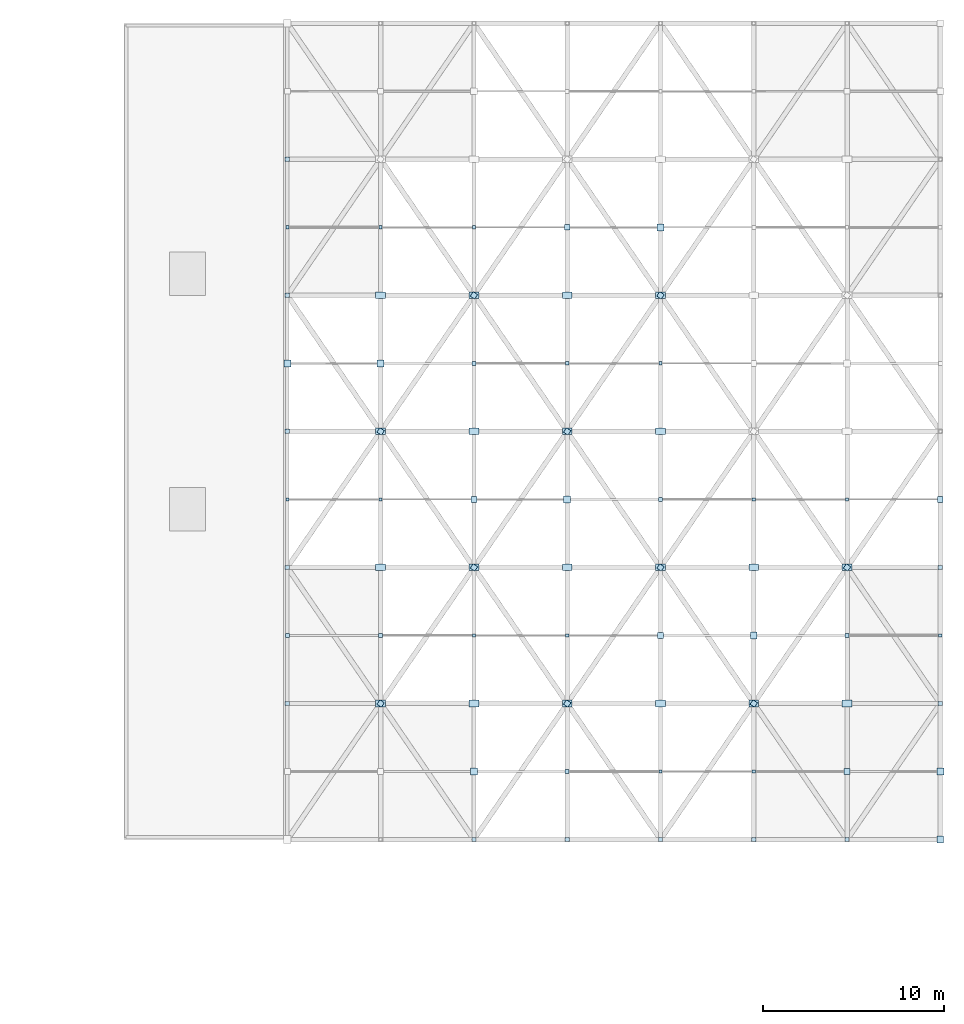
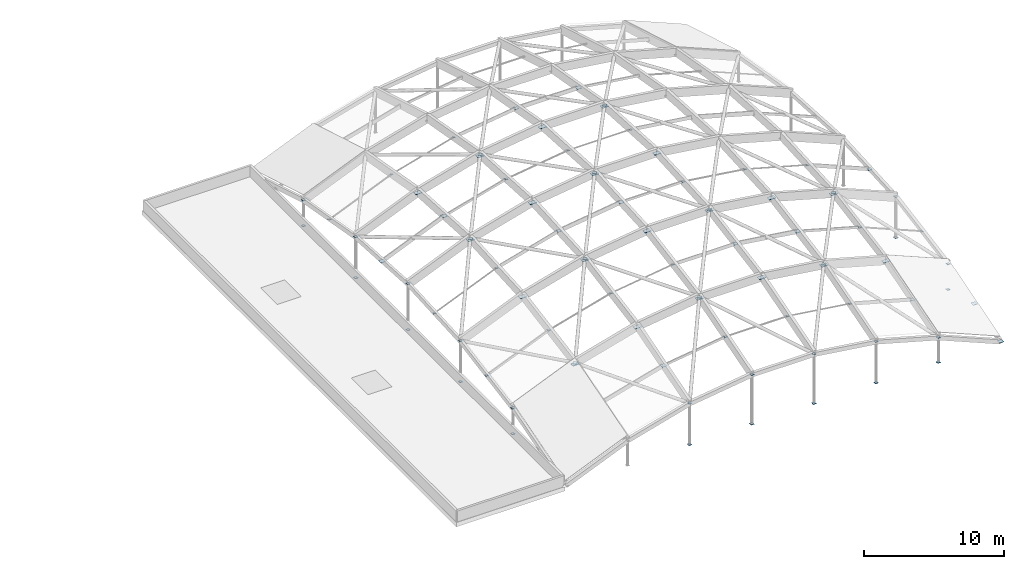
# One storey, part 69 of 81: 87 plates.
"""IFC4 building model written with IfcOpenShell, lengths in metres."""

from ifc_helpers import new_model, si_unit, direction, frame, origin, origin_2d, place, context, subcontext, project, spatial, rectangle, extrude, material, layer, layer_set, type_object, element, save


model = new_model("IFC4")

# Units and contexts
model_context = context("Model", 3, precision=1e-05, world=origin(), true_north=direction((0.0, 1.0)))
body_context = subcontext(model_context, "Body", "Model", "MODEL_VIEW")
ifc_project = project(units=[si_unit("LENGTHUNIT", "METRE"), si_unit("AREAUNIT", "SQUARE_METRE"), si_unit("VOLUMEUNIT", "CUBIC_METRE"), si_unit("PLANEANGLEUNIT", "RADIAN"), si_unit("MASSUNIT", "GRAM", prefix="KILO")], contexts=[model_context])

# Site, building, storey
site_placement = place(None, origin())
site = spatial("IfcSite", under=ifc_project, at=site_placement, CompositionType="ELEMENT")
building_placement = place(site_placement, origin())
building = spatial("IfcBuilding", under=site, at=building_placement, Name="Marnridge Secondary College", CompositionType="ELEMENT")
storey_placement = place(building_placement, frame((0.0, 0.0, 8.5)))
storey = spatial("IfcBuildingStorey", under=building, at=storey_placement, Name="L02", CompositionType="ELEMENT", Elevation=8.5)

# Plates
ifc_material_1 = material(Name="Structural steel plate Grade 350 (AS/NZS 3678, fy = 350 MPa <=12mm, 340 MPa 12-20mm, 330 MPa 20-50mm)", Category="steel")
ifc_layer_1 = layer(ifc_material_1, 0.011962890625)
ifc_layer_set_1 = layer_set([ifc_layer_1], Name="PT-CAP-EXT")
plate_type_1 = type_object("IfcPlateType", Name="PT-CAP-EXT", PredefinedType="SHEET", material=ifc_layer_set_1)
for number, where, z_axis, x_axis, name in (
    (1, (135.0, 82.5, 0.0859375), (0.0, 0.0, 1.0), (1.0, 0.0, 0.0), "Tube end cap GSP-0001-EC1"),
    (2, (135.0, 82.5, 2.333984375), (0.0, 0.0, 1.0), (1.0, 0.0, 0.0), "Tube end cap GSP-0001-EC2"),
    (3, (135.0, 90.0, 0.0859375), (0.0, 0.0, 1.0), (1.0, 0.0, 0.0), "Tube end cap GSP-0002-EC1"),
    (4, (135.0, 90.0, 3.66748046875), (0.0, 0.0, 1.0), (1.0, 0.0, 0.0), "Tube end cap GSP-0002-EC2"),
    (5, (135.0, 97.5, 0.0859375), (0.0, 0.0, 1.0), (1.0, 0.0, 0.0), "Tube end cap GSP-0003-EC1"),
    (6, (135.0, 97.5, 4.11181640625), (0.0, 0.0, 1.0), (1.0, 0.0, 0.0), "Tube end cap GSP-0003-EC2"),
    (7, (135.0, 105.0, 0.0859375), (0.0, 0.0, 1.0), (1.0, 0.0, 0.0), "Tube end cap GSP-0004-EC1"),
    (8, (135.0, 105.0, 3.66748046875), (0.0, 0.0, 1.0), (1.0, 0.0, 0.0), "Tube end cap GSP-0004-EC2"),
    (9, (135.0, 112.5, 0.0859375), (0.0, 0.0, 1.0), (1.0, 0.0, 0.0), "Tube end cap GSP-0005-EC1"),
    (10, (135.0, 112.5, 2.333984375), (0.0, 0.0, 1.0), (1.0, 0.0, 0.0), "Tube end cap GSP-0005-EC2"),
    (11, (145.28564453125, 75.0, 0.0859375), (0.0, 0.0, 1.0), (1.0, 0.0, 0.0), "Tube end cap GSP-0008-EC1"),
    (12, (145.28564453125, 75.0, 3.70361328125), (0.0, 0.0, 1.0), (1.0, 0.0, 0.0), "Tube end cap GSP-0008-EC2"),
    (13, (150.4287109375, 75.0, 0.0859375), (0.0, 0.0, 1.0), (1.0, 0.0, 0.0), "Tube end cap GSP-0010-EC1"),
    (14, (150.4287109375, 75.0, 4.42236328125), (0.0, 0.0, 1.0), (1.0, 0.0, 0.0), "Tube end cap GSP-0010-EC2"),
    (15, (155.5712890625, 75.0, 0.0859375), (0.0, 0.0, 1.0), (1.0, 0.0, 0.0), "Tube end cap GSP-0012-EC1"),
    (16, (155.5712890625, 75.0, 4.42236328125), (0.0, 0.0, 1.0), (1.0, 0.0, 0.0), "Tube end cap GSP-0012-EC2"),
    (17, (160.71435546875, 75.0, 0.0859375), (0.0, 0.0, 1.0), (1.0, 0.0, 0.0), "Tube end cap GSP-0014-EC1"),
    (18, (160.71435546875, 75.0, 3.70361328125), (0.0, 0.0, 1.0), (1.0, 0.0, 0.0), "Tube end cap GSP-0014-EC2"),
    (19, (165.857177734375, 75.0, 0.0859375), (0.0, 0.0, 1.0), (1.0, 0.0, 0.0), "Tube end cap GSP-0016-EC1"),
    (20, (165.857177734375, 75.0, 2.26708984375), (0.0, 0.0, 1.0), (1.0, 0.0, 0.0), "Tube end cap GSP-0016-EC2"),
    (21, (171.0, 82.5, 0.0859375), (0.0, 0.0, 1.0), (1.0, 0.0, 0.0), "Tube end cap GSP-0018-EC1"),
    (22, (171.0, 82.5, 2.333984375), (0.0, 0.0, 1.0), (1.0, 0.0, 0.0), "Tube end cap GSP-0018-EC2"),
    (23, (171.0, 90.0, 0.0859375), (0.0, 0.0, 1.0), (1.0, 0.0, 0.0), "Tube end cap GSP-0019-EC1"),
    (24, (171.0, 90.0, 3.66748046875), (0.0, 0.0, 1.0), (1.0, 0.0, 0.0), "Tube end cap GSP-0019-EC2"),
):
    element("IfcPlate", number, at=place(storey_placement, frame(where, z_axis=z_axis, x_axis=x_axis)), inside=storey, type_object=plate_type_1, Name=name, PredefinedType="SHEET", context=body_context, shape_type="SweptSolid", body=[
        extrude(rectangle(XDim=0.239013671875, YDim=0.239013671875, at=origin_2d()), origin(), (0.0, 0.0, 1.0), 0.011962890625),
    ])
plate_1_placement = place(storey_placement, frame((171.0, 75.001953125, 0.0947265625), z_axis=(0.0, 0.0, 1.0), x_axis=(0.0, 1.0, 0.0)))
element("IfcPlate", 25, at=plate_1_placement, inside=storey, type_object=plate_type_1, Name="Tube end cap GR-0043-EC1", PredefinedType="SHEET", context=body_context, shape_type="SweptSolid", body=[
    extrude(rectangle(XDim=0.3701171875, YDim=0.3701171875, at=origin_2d()), origin(), (0.0, 0.0, 1.0), 0.011962890625),
])
plate_2_placement = place(storey_placement, frame((140.141845703125, 82.49853515625, 4.47021484375), z_axis=(0.0, 0.0, 1.0), x_axis=(0.565542903589, 0.82471887586, 0.0)))
element("IfcPlate", 26, at=plate_2_placement, inside=storey, type_object=plate_type_1, Name="Tube end cap GR-0098-EC2", PredefinedType="SHEET", context=body_context, shape_type="SweptSolid", body=[
    extrude(rectangle(XDim=0.29296875, YDim=0.29296875, at=origin_2d()), origin(), (0.0, 0.0, 1.0), 0.011962890625),
])
for number, where, z_axis, x_axis, name in (
    (27, (135.001708984375, 86.25, 2.90380859375), (0.0, 0.0, 1.0), (1.0, 0.0, 0.0), "Tube end cap PR-0024-EC1"),
    (28, (140.14111328125, 86.25, 5.05712890625), (0.0, 0.0, 1.0), (1.0, 0.0, 0.0), "Tube end cap PR-0024-EC2"),
):
    element("IfcPlate", number, at=place(storey_placement, frame(where, z_axis=z_axis, x_axis=x_axis)), inside=storey, type_object=plate_type_1, Name=name, PredefinedType="SHEET", context=body_context, shape_type="SweptSolid", body=[
        extrude(rectangle(XDim=0.219970703125, YDim=0.219970703125, at=origin_2d()), origin(), (0.0, 0.0, 1.0), 0.011962890625),
    ])
plate_3_placement = place(storey_placement, frame((140.141845703125, 97.498291015625, 6.24853515625), z_axis=(0.0, 0.0, 1.0), x_axis=(0.565542903589, 0.82471887586, 0.0)))
element("IfcPlate", 29, at=plate_3_placement, inside=storey, type_object=plate_type_1, Name="Tube end cap GR-0100-EC2", PredefinedType="SHEET", context=body_context, shape_type="SweptSolid", body=[
    extrude(rectangle(XDim=0.29296875, YDim=0.29296875, at=origin_2d()), origin(), (0.0, 0.0, 1.0), 0.011962890625),
])
for number, where, z_axis, x_axis, name in (
    (30, (135.001708984375, 93.75, 3.79248046875), (0.0, 0.0, 1.0), (1.0, 0.0, 0.0), "Tube end cap PR-0025-EC1"),
    (31, (140.14111328125, 93.75, 5.9462890625), (0.0, 0.0, 1.0), (1.0, 0.0, 0.0), "Tube end cap PR-0025-EC2"),
):
    element("IfcPlate", number, at=place(storey_placement, frame(where, z_axis=z_axis, x_axis=x_axis)), inside=storey, type_object=plate_type_1, Name=name, PredefinedType="SHEET", context=body_context, shape_type="SweptSolid", body=[
        extrude(rectangle(XDim=0.179931640625, YDim=0.179931640625, at=origin_2d()), origin(), (0.0, 0.0, 1.0), 0.011962890625),
    ])
for number, where, z_axis, x_axis, name in (
    (32, (135.001708984375, 101.25, 3.79248046875), (0.0, 0.0, 1.0), (1.0, 0.0, 0.0), "Tube end cap PR-0026-EC1"),
    (33, (140.14111328125, 101.25, 5.9462890625), (0.0, 0.0, 1.0), (1.0, 0.0, 0.0), "Tube end cap PR-0026-EC2"),
):
    element("IfcPlate", number, at=place(storey_placement, frame(where, z_axis=z_axis, x_axis=x_axis)), inside=storey, type_object=plate_type_1, Name=name, PredefinedType="SHEET", context=body_context, shape_type="SweptSolid", body=[
        extrude(rectangle(XDim=0.3798828125, YDim=0.3798828125, at=origin_2d()), origin(), (0.0, 0.0, 1.0), 0.011962890625),
    ])
for number, where, z_axis, x_axis, name in (
    (34, (135.001708984375, 108.75, 2.90380859375), (0.0, 0.0, 1.0), (1.0, 0.0, 0.0), "Tube end cap PR-0027-EC1"),
    (35, (140.14111328125, 108.75, 5.05712890625), (0.0, 0.0, 1.0), (1.0, 0.0, 0.0), "Tube end cap PR-0027-EC2"),
):
    element("IfcPlate", number, at=place(storey_placement, frame(where, z_axis=z_axis, x_axis=x_axis)), inside=storey, type_object=plate_type_1, Name=name, PredefinedType="SHEET", context=body_context, shape_type="SweptSolid", body=[
        extrude(rectangle(XDim=0.179931640625, YDim=0.179931640625, at=origin_2d()), origin(), (0.0, 0.0, 1.0), 0.011962890625),
    ])
plate_4_placement = place(storey_placement, frame((145.28369140625, 78.75, 4.71630859375), z_axis=(0.0, 0.0, 1.0), x_axis=(1.0, 0.0, 0.0)))
element("IfcPlate", 36, at=plate_4_placement, inside=storey, type_object=plate_type_1, Name="Tube end cap PR-0029-EC2", PredefinedType="SHEET", context=body_context, shape_type="SweptSolid", body=[
    extrude(rectangle(XDim=0.3798828125, YDim=0.3798828125, at=origin_2d()), origin(), (0.0, 0.0, 1.0), 0.011962890625),
])
plate_5_placement = place(storey_placement, frame((145.28466796875, 89.998291015625, 7.24072265625), z_axis=(0.0, 0.0, 1.0), x_axis=(0.565542903589, 0.82471887586, 0.0)))
element("IfcPlate", 37, at=plate_5_placement, inside=storey, type_object=plate_type_1, Name="Tube end cap GR-0105-EC2", PredefinedType="SHEET", context=body_context, shape_type="SweptSolid", body=[
    extrude(rectangle(XDim=0.29296875, YDim=0.29296875, at=origin_2d()), origin(), (0.0, 0.0, 1.0), 0.011962890625),
])
plate_6_placement = place(storey_placement, frame((145.28369140625, 86.25, 6.494140625), z_axis=(0.0, 0.0, 1.0), x_axis=(1.0, 0.0, 0.0)))
element("IfcPlate", 38, at=plate_6_placement, inside=storey, type_object=plate_type_1, Name="Tube end cap PR-0030-EC2", PredefinedType="SHEET", context=body_context, shape_type="SweptSolid", body=[
    extrude(rectangle(XDim=0.179931640625, YDim=0.179931640625, at=origin_2d()), origin(), (0.0, 0.0, 1.0), 0.011962890625),
])
plate_7_placement = place(storey_placement, frame((145.28369140625, 93.75, 7.38330078125), z_axis=(0.0, 0.0, 1.0), x_axis=(1.0, 0.0, 0.0)))
element("IfcPlate", 39, at=plate_7_placement, inside=storey, type_object=plate_type_1, Name="Tube end cap PR-0031-EC2", PredefinedType="SHEET", context=body_context, shape_type="SweptSolid", body=[
    extrude(rectangle(XDim=0.320068359375, YDim=0.320068359375, at=origin_2d()), origin(), (0.0, 0.0, 1.0), 0.011962890625),
])
plate_8_placement = place(storey_placement, frame((145.28466796875, 104.998291015625, 7.2412109375), z_axis=(0.0, 0.0, 1.0), x_axis=(0.565542903589, 0.82471887586, 0.0)))
element("IfcPlate", 40, at=plate_8_placement, inside=storey, type_object=plate_type_1, Name="Tube end cap GR-0107-EC2", PredefinedType="SHEET", context=body_context, shape_type="SweptSolid", body=[
    extrude(rectangle(XDim=0.29296875, YDim=0.29296875, at=origin_2d()), origin(), (0.0, 0.0, 1.0), 0.011962890625),
])
plate_9_placement = place(storey_placement, frame((145.28369140625, 101.25, 7.38330078125), z_axis=(0.0, 0.0, 1.0), x_axis=(1.0, 0.0, 0.0)))
element("IfcPlate", 41, at=plate_9_placement, inside=storey, type_object=plate_type_1, Name="Tube end cap PR-0032-EC2", PredefinedType="SHEET", context=body_context, shape_type="SweptSolid", body=[
    extrude(rectangle(XDim=0.219970703125, YDim=0.219970703125, at=origin_2d()), origin(), (0.0, 0.0, 1.0), 0.011962890625),
])
plate_10_placement = place(storey_placement, frame((145.28369140625, 108.75, 6.494140625), z_axis=(0.0, 0.0, 1.0), x_axis=(1.0, 0.0, 0.0)))
element("IfcPlate", 42, at=plate_10_placement, inside=storey, type_object=plate_type_1, Name="Tube end cap PR-0033-EC2", PredefinedType="SHEET", context=body_context, shape_type="SweptSolid", body=[
    extrude(rectangle(XDim=0.179931640625, YDim=0.179931640625, at=origin_2d()), origin(), (0.0, 0.0, 1.0), 0.011962890625),
])
plate_11_placement = place(storey_placement, frame((150.427490234375, 82.498291015625, 6.6259765625), z_axis=(0.0, 0.0, 1.0), x_axis=(0.565542903589, 0.82471887586, 0.0)))
element("IfcPlate", 43, at=plate_11_placement, inside=storey, type_object=plate_type_1, Name="Tube end cap GR-0110-EC2", PredefinedType="SHEET", context=body_context, shape_type="SweptSolid", body=[
    extrude(rectangle(XDim=0.29296875, YDim=0.29296875, at=origin_2d()), origin(), (0.0, 0.0, 1.0), 0.011962890625),
])
plate_12_placement = place(storey_placement, frame((150.426513671875, 78.75, 5.43505859375), z_axis=(0.0, 0.0, 1.0), x_axis=(1.0, 0.0, 0.0)))
element("IfcPlate", 44, at=plate_12_placement, inside=storey, type_object=plate_type_1, Name="Tube end cap PR-0035-EC2", PredefinedType="SHEET", context=body_context, shape_type="SweptSolid", body=[
    extrude(rectangle(XDim=0.219970703125, YDim=0.219970703125, at=origin_2d()), origin(), (0.0, 0.0, 1.0), 0.011962890625),
])
plate_13_placement = place(storey_placement, frame((150.426513671875, 86.25, 7.212890625), z_axis=(0.0, 0.0, 1.0), x_axis=(1.0, 0.0, 0.0)))
element("IfcPlate", 45, at=plate_13_placement, inside=storey, type_object=plate_type_1, Name="Tube end cap PR-0036-EC2", PredefinedType="SHEET", context=body_context, shape_type="SweptSolid", body=[
    extrude(rectangle(XDim=0.179931640625, YDim=0.179931640625, at=origin_2d()), origin(), (0.0, 0.0, 1.0), 0.011962890625),
])
plate_14_placement = place(storey_placement, frame((150.427490234375, 97.498291015625, 8.40380859375), z_axis=(0.0, 0.0, 1.0), x_axis=(0.565542903589, 0.82471887586, 0.0)))
element("IfcPlate", 46, at=plate_14_placement, inside=storey, type_object=plate_type_1, Name="Tube end cap GR-0112-EC2", PredefinedType="SHEET", context=body_context, shape_type="SweptSolid", body=[
    extrude(rectangle(XDim=0.29296875, YDim=0.29296875, at=origin_2d()), origin(), (0.0, 0.0, 1.0), 0.011962890625),
])
plate_15_placement = place(storey_placement, frame((150.426513671875, 93.75, 8.1015625), z_axis=(0.0, 0.0, 1.0), x_axis=(1.0, 0.0, 0.0)))
element("IfcPlate", 47, at=plate_15_placement, inside=storey, type_object=plate_type_1, Name="Tube end cap PR-0037-EC2", PredefinedType="SHEET", context=body_context, shape_type="SweptSolid", body=[
    extrude(rectangle(XDim=0.3798828125, YDim=0.3798828125, at=origin_2d()), origin(), (0.0, 0.0, 1.0), 0.011962890625),
])
plate_16_placement = place(storey_placement, frame((150.426513671875, 101.25, 8.1015625), z_axis=(0.0, 0.0, 1.0), x_axis=(1.0, 0.0, 0.0)))
element("IfcPlate", 48, at=plate_16_placement, inside=storey, type_object=plate_type_1, Name="Tube end cap PR-0038-EC2", PredefinedType="SHEET", context=body_context, shape_type="SweptSolid", body=[
    extrude(rectangle(XDim=0.179931640625, YDim=0.179931640625, at=origin_2d()), origin(), (0.0, 0.0, 1.0), 0.011962890625),
])
plate_17_placement = place(storey_placement, frame((150.426513671875, 108.75, 7.212890625), z_axis=(0.0, 0.0, 1.0), x_axis=(1.0, 0.0, 0.0)))
element("IfcPlate", 49, at=plate_17_placement, inside=storey, type_object=plate_type_1, Name="Tube end cap PR-0039-EC2", PredefinedType="SHEET", context=body_context, shape_type="SweptSolid", body=[
    extrude(rectangle(XDim=0.320068359375, YDim=0.320068359375, at=origin_2d()), origin(), (0.0, 0.0, 1.0), 0.011962890625),
])
plate_18_placement = place(storey_placement, frame((155.5693359375, 78.75, 5.435546875), z_axis=(0.0, 0.0, 1.0), x_axis=(1.0, 0.0, 0.0)))
element("IfcPlate", 50, at=plate_18_placement, inside=storey, type_object=plate_type_1, Name="Tube end cap PR-0041-EC2", PredefinedType="SHEET", context=body_context, shape_type="SweptSolid", body=[
    extrude(rectangle(XDim=0.179931640625, YDim=0.179931640625, at=origin_2d()), origin(), (0.0, 0.0, 1.0), 0.011962890625),
])
plate_19_placement = place(storey_placement, frame((155.5703125, 89.998291015625, 7.95947265625), z_axis=(0.0, 0.0, 1.0), x_axis=(0.565542903589, 0.82471887586, 0.0)))
element("IfcPlate", 51, at=plate_19_placement, inside=storey, type_object=plate_type_1, Name="Tube end cap GR-0117-EC2", PredefinedType="SHEET", context=body_context, shape_type="SweptSolid", body=[
    extrude(rectangle(XDim=0.29296875, YDim=0.29296875, at=origin_2d()), origin(), (0.0, 0.0, 1.0), 0.011962890625),
])
plate_20_placement = place(storey_placement, frame((155.5693359375, 86.25, 7.212890625), z_axis=(0.0, 0.0, 1.0), x_axis=(1.0, 0.0, 0.0)))
element("IfcPlate", 52, at=plate_20_placement, inside=storey, type_object=plate_type_1, Name="Tube end cap PR-0042-EC2", PredefinedType="SHEET", context=body_context, shape_type="SweptSolid", body=[
    extrude(rectangle(XDim=0.320068359375, YDim=0.320068359375, at=origin_2d()), origin(), (0.0, 0.0, 1.0), 0.011962890625),
])
plate_21_placement = place(storey_placement, frame((155.5693359375, 93.75, 8.10205078125), z_axis=(0.0, 0.0, 1.0), x_axis=(1.0, 0.0, 0.0)))
element("IfcPlate", 53, at=plate_21_placement, inside=storey, type_object=plate_type_1, Name="Tube end cap PR-0043-EC2", PredefinedType="SHEET", context=body_context, shape_type="SweptSolid", body=[
    extrude(rectangle(XDim=0.219970703125, YDim=0.219970703125, at=origin_2d()), origin(), (0.0, 0.0, 1.0), 0.011962890625),
])
plate_22_placement = place(storey_placement, frame((155.5703125, 104.998291015625, 7.9599609375), z_axis=(0.0, 0.0, 1.0), x_axis=(0.565542903589, 0.82471887586, 0.0)))
element("IfcPlate", 54, at=plate_22_placement, inside=storey, type_object=plate_type_1, Name="Tube end cap GR-0119-EC2", PredefinedType="SHEET", context=body_context, shape_type="SweptSolid", body=[
    extrude(rectangle(XDim=0.29296875, YDim=0.29296875, at=origin_2d()), origin(), (0.0, 0.0, 1.0), 0.011962890625),
])
plate_23_placement = place(storey_placement, frame((155.5693359375, 101.25, 8.10205078125), z_axis=(0.0, 0.0, 1.0), x_axis=(1.0, 0.0, 0.0)))
element("IfcPlate", 55, at=plate_23_placement, inside=storey, type_object=plate_type_1, Name="Tube end cap PR-0044-EC2", PredefinedType="SHEET", context=body_context, shape_type="SweptSolid", body=[
    extrude(rectangle(XDim=0.179931640625, YDim=0.179931640625, at=origin_2d()), origin(), (0.0, 0.0, 1.0), 0.011962890625),
])
plate_24_placement = place(storey_placement, frame((155.5693359375, 108.75, 7.212890625), z_axis=(0.0, 0.0, 1.0), x_axis=(1.0, 0.0, 0.0)))
element("IfcPlate", 56, at=plate_24_placement, inside=storey, type_object=plate_type_1, Name="Tube end cap PR-0045-EC2", PredefinedType="SHEET", context=body_context, shape_type="SweptSolid", body=[
    extrude(rectangle(XDim=0.3798828125, YDim=0.3798828125, at=origin_2d()), origin(), (0.0, 0.0, 1.0), 0.011962890625),
])
plate_25_placement = place(storey_placement, frame((160.713134765625, 82.498291015625, 5.90771484375), z_axis=(0.0, 0.0, 1.0), x_axis=(0.565542903589, 0.82471887586, 0.0)))
element("IfcPlate", 57, at=plate_25_placement, inside=storey, type_object=plate_type_1, Name="Tube end cap GR-0122-EC2", PredefinedType="SHEET", context=body_context, shape_type="SweptSolid", body=[
    extrude(rectangle(XDim=0.29296875, YDim=0.29296875, at=origin_2d()), origin(), (0.0, 0.0, 1.0), 0.011962890625),
])
plate_26_placement = place(storey_placement, frame((160.71240234375, 78.75, 4.71728515625), z_axis=(0.0, 0.0, 1.0), x_axis=(1.0, 0.0, 0.0)))
element("IfcPlate", 58, at=plate_26_placement, inside=storey, type_object=plate_type_1, Name="Tube end cap PR-0047-EC2", PredefinedType="SHEET", context=body_context, shape_type="SweptSolid", body=[
    extrude(rectangle(XDim=0.179931640625, YDim=0.179931640625, at=origin_2d()), origin(), (0.0, 0.0, 1.0), 0.011962890625),
])
plate_27_placement = place(storey_placement, frame((160.71240234375, 86.25, 6.4951171875), z_axis=(0.0, 0.0, 1.0), x_axis=(1.0, 0.0, 0.0)))
element("IfcPlate", 59, at=plate_27_placement, inside=storey, type_object=plate_type_1, Name="Tube end cap PR-0048-EC2", PredefinedType="SHEET", context=body_context, shape_type="SweptSolid", body=[
    extrude(rectangle(XDim=0.3798828125, YDim=0.3798828125, at=origin_2d()), origin(), (0.0, 0.0, 1.0), 0.011962890625),
])
plate_28_placement = place(storey_placement, frame((160.71240234375, 93.75, 7.3837890625), z_axis=(0.0, 0.0, 1.0), x_axis=(1.0, 0.0, 0.0)))
element("IfcPlate", 60, at=plate_28_placement, inside=storey, type_object=plate_type_1, Name="Tube end cap PR-0049-EC2", PredefinedType="SHEET", context=body_context, shape_type="SweptSolid", body=[
    extrude(rectangle(XDim=0.179931640625, YDim=0.179931640625, at=origin_2d()), origin(), (0.0, 0.0, 1.0), 0.011962890625),
])
plate_29_placement = place(storey_placement, frame((165.855224609375, 78.75, 3.28076171875), z_axis=(0.0, 0.0, 1.0), x_axis=(1.0, 0.0, 0.0)))
element("IfcPlate", 61, at=plate_29_placement, inside=storey, type_object=plate_type_1, Name="Tube end cap PR-0053-EC2", PredefinedType="SHEET", context=body_context, shape_type="SweptSolid", body=[
    extrude(rectangle(XDim=0.320068359375, YDim=0.320068359375, at=origin_2d()), origin(), (0.0, 0.0, 1.0), 0.011962890625),
])
plate_30_placement = place(storey_placement, frame((165.85595703125, 89.998291015625, 5.8046875), z_axis=(0.0, 0.0, 1.0), x_axis=(0.565542903589, 0.82471887586, 0.0)))
element("IfcPlate", 62, at=plate_30_placement, inside=storey, type_object=plate_type_1, Name="Tube end cap GR-0129-EC2", PredefinedType="SHEET", context=body_context, shape_type="SweptSolid", body=[
    extrude(rectangle(XDim=0.29296875, YDim=0.29296875, at=origin_2d()), origin(), (0.0, 0.0, 1.0), 0.011962890625),
])
plate_31_placement = place(storey_placement, frame((165.855224609375, 86.25, 5.05859375), z_axis=(0.0, 0.0, 1.0), x_axis=(1.0, 0.0, 0.0)))
element("IfcPlate", 63, at=plate_31_placement, inside=storey, type_object=plate_type_1, Name="Tube end cap PR-0054-EC2", PredefinedType="SHEET", context=body_context, shape_type="SweptSolid", body=[
    extrude(rectangle(XDim=0.219970703125, YDim=0.219970703125, at=origin_2d()), origin(), (0.0, 0.0, 1.0), 0.011962890625),
])
plate_32_placement = place(storey_placement, frame((165.855224609375, 93.75, 5.947265625), z_axis=(0.0, 0.0, 1.0), x_axis=(1.0, 0.0, 0.0)))
element("IfcPlate", 64, at=plate_32_placement, inside=storey, type_object=plate_type_1, Name="Tube end cap PR-0055-EC2", PredefinedType="SHEET", context=body_context, shape_type="SweptSolid", body=[
    extrude(rectangle(XDim=0.179931640625, YDim=0.179931640625, at=origin_2d()), origin(), (0.0, 0.0, 1.0), 0.011962890625),
])
plate_33_placement = place(storey_placement, frame((170.998291015625, 78.75, 1.1259765625), z_axis=(0.0, 0.0, 1.0), x_axis=(1.0, 0.0, 0.0)))
element("IfcPlate", 65, at=plate_33_placement, inside=storey, type_object=plate_type_1, Name="Tube end cap PR-0059-EC2", PredefinedType="SHEET", context=body_context, shape_type="SweptSolid", body=[
    extrude(rectangle(XDim=0.3798828125, YDim=0.3798828125, at=origin_2d()), origin(), (0.0, 0.0, 1.0), 0.011962890625),
])
plate_34_placement = place(storey_placement, frame((170.998291015625, 86.25, 2.90380859375), z_axis=(0.0, 0.0, 1.0), x_axis=(1.0, 0.0, 0.0)))
element("IfcPlate", 66, at=plate_34_placement, inside=storey, type_object=plate_type_1, Name="Tube end cap PR-0060-EC2", PredefinedType="SHEET", context=body_context, shape_type="SweptSolid", body=[
    extrude(rectangle(XDim=0.179931640625, YDim=0.179931640625, at=origin_2d()), origin(), (0.0, 0.0, 1.0), 0.011962890625),
])
plate_35_placement = place(storey_placement, frame((170.998291015625, 93.75, 3.79248046875), z_axis=(0.0, 0.0, 1.0), x_axis=(1.0, 0.0, 0.0)))
element("IfcPlate", 67, at=plate_35_placement, inside=storey, type_object=plate_type_1, Name="Tube end cap PR-0061-EC2", PredefinedType="SHEET", context=body_context, shape_type="SweptSolid", body=[
    extrude(rectangle(XDim=0.320068359375, YDim=0.320068359375, at=origin_2d()), origin(), (0.0, 0.0, 1.0), 0.011962890625),
])
ifc_material_2 = material(Name="Structural steel plate Grade 350 (AS/NZS 3678, fy = 350 MPa <=12mm, 340 MPa 12-20mm, 330 MPa 20-50mm)", Category="steel")
ifc_layer_2 = layer(ifc_material_2, 0.048095703125)
ifc_layer_set_2 = layer_set([ifc_layer_2], Name="PT-GUS-GSN1")
plate_type_2 = type_object("IfcPlateType", Name="PT-GUS-GSN1", PredefinedType="USERDEFINED", material=ifc_layer_set_2)
for number, where, z_axis, x_axis, name in (
    (68, (140.142822265625, 82.5, 4.35302734375), (0.0, 0.0, 1.0), (1.0, 0.0, 0.0), "Gridshell node gusset plate GP-001"),
    (69, (140.142822265625, 97.5, 6.130859375), (0.0, 0.0, 1.0), (1.0, 0.0, 0.0), "Gridshell node gusset plate GP-003"),
    (70, (145.28564453125, 90.0, 7.12353515625), (0.0, 0.0, 1.0), (1.0, 0.0, 0.0), "Gridshell node gusset plate GP-007"),
    (71, (145.28564453125, 105.0, 7.12353515625), (0.0, 0.0, 1.0), (1.0, 0.0, 0.0), "Gridshell node gusset plate GP-009"),
    (72, (150.4287109375, 82.5, 6.50830078125), (0.0, 0.0, 1.0), (1.0, 0.0, 0.0), "Gridshell node gusset plate GP-011"),
    (73, (150.4287109375, 97.5, 8.2861328125), (0.0, 0.0, 1.0), (1.0, 0.0, 0.0), "Gridshell node gusset plate GP-013"),
    (74, (155.5712890625, 90.0, 7.841796875), (0.0, 0.0, 1.0), (1.0, 0.0, 0.0), "Gridshell node gusset plate GP-017"),
    (75, (155.5712890625, 105.0, 7.841796875), (0.0, 0.0, 1.0), (1.0, 0.0, 0.0), "Gridshell node gusset plate GP-019"),
    (76, (160.71435546875, 82.5, 5.7900390625), (0.0, 0.0, 1.0), (1.0, 0.0, 0.0), "Gridshell node gusset plate GP-021"),
    (77, (165.857177734375, 90.0, 5.6865234375), (0.0, 0.0, 1.0), (1.0, 0.0, 0.0), "Gridshell node gusset plate GP-027"),
):
    element("IfcPlate", number, at=place(storey_placement, frame(where, z_axis=z_axis, x_axis=x_axis)), inside=storey, type_object=plate_type_2, Name=name, ObjectType="GUSSET PLATE", PredefinedType="USERDEFINED", context=body_context, shape_type="SweptSolid", body=[
        extrude(rectangle(XDim=0.5400390625, YDim=0.360107421875, at=origin_2d()), origin(), (0.0, 0.0, 1.0), 0.048095703125),
    ])
ifc_material_3 = material(Name="Structural steel plate Grade 350 (AS/NZS 3678, fy = 350 MPa <=12mm, 340 MPa 12-20mm, 330 MPa 20-50mm)", Category="steel")
ifc_layer_3 = layer(ifc_material_3, 0.035888671875)
ifc_layer_set_3 = layer_set([ifc_layer_3], Name="PT-GUS-GSN1A")
plate_type_3 = type_object("IfcPlateType", Name="PT-GUS-GSN1A", PredefinedType="USERDEFINED", material=ifc_layer_set_3)
for number, where, z_axis, x_axis, name in (
    (78, (140.142822265625, 90.0, 5.69287109375), (0.0, 0.0, 1.0), (1.0, 0.0, 0.0), "Gridshell node gusset plate GP-002"),
    (79, (140.142822265625, 105.0, 5.69287109375), (0.0, 0.0, 1.0), (1.0, 0.0, 0.0), "Gridshell node gusset plate GP-004"),
    (80, (145.28564453125, 82.5, 5.79638671875), (0.0, 0.0, 1.0), (1.0, 0.0, 0.0), "Gridshell node gusset plate GP-006"),
    (81, (145.28564453125, 97.5, 7.57373046875), (0.0, 0.0, 1.0), (1.0, 0.0, 0.0), "Gridshell node gusset plate GP-008"),
    (82, (150.4287109375, 90.0, 7.84765625), (0.0, 0.0, 1.0), (1.0, 0.0, 0.0), "Gridshell node gusset plate GP-012"),
    (83, (150.4287109375, 105.0, 7.84765625), (0.0, 0.0, 1.0), (1.0, 0.0, 0.0), "Gridshell node gusset plate GP-014"),
    (84, (155.5712890625, 82.5, 6.5146484375), (0.0, 0.0, 1.0), (1.0, 0.0, 0.0), "Gridshell node gusset plate GP-016"),
    (85, (155.5712890625, 97.5, 8.29248046875), (0.0, 0.0, 1.0), (1.0, 0.0, 0.0), "Gridshell node gusset plate GP-018"),
    (86, (160.71435546875, 90.0, 7.12939453125), (0.0, 0.0, 1.0), (1.0, 0.0, 0.0), "Gridshell node gusset plate GP-022"),
    (87, (165.857177734375, 82.5, 4.359375), (0.0, 0.0, 1.0), (1.0, 0.0, 0.0), "Gridshell node gusset plate GP-026"),
):
    element("IfcPlate", number, at=place(storey_placement, frame(where, z_axis=z_axis, x_axis=x_axis)), inside=storey, type_object=plate_type_3, Name=name, ObjectType="GUSSET PLATE", PredefinedType="USERDEFINED", context=body_context, shape_type="SweptSolid", body=[
        extrude(rectangle(XDim=0.5400390625, YDim=0.360107421875, at=origin_2d()), origin(), (0.0, 0.0, 1.0), 0.035888671875),
    ])

save(model, "model.ifc")
